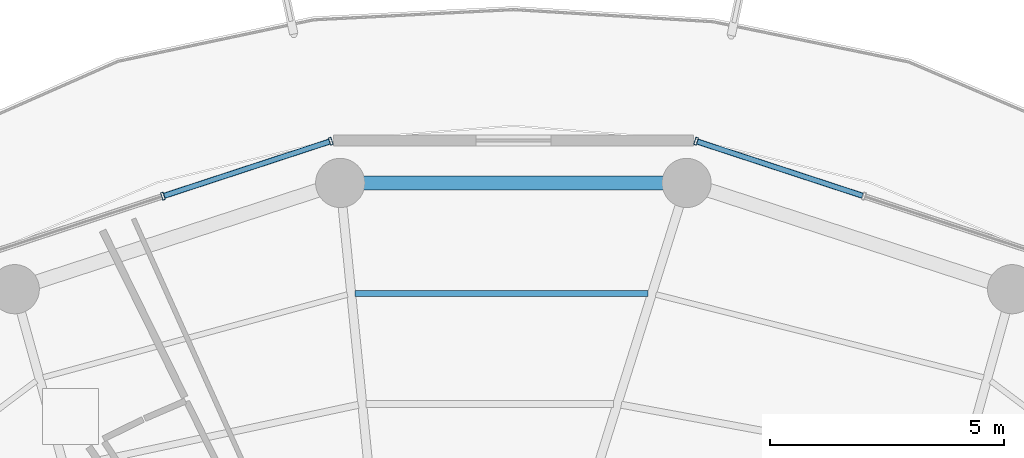
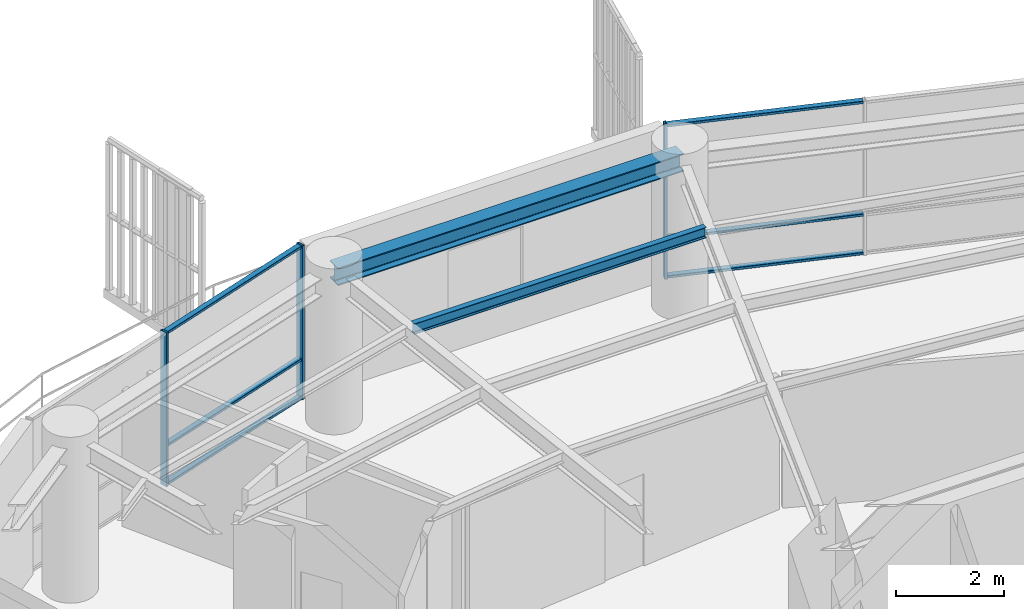
# One storey, part 20 of 31: 9 members, 2 beams, 2 elements without a shape of their own.
"""IFC4 building model written with IfcOpenShell, lengths in metres."""

from ifc_helpers import new_model, si_unit, direction, frame, origin, origin_2d, place, context, subcontext, project, spatial, hollow_rectangle, i_section, extrude, material, layer, layer_set, material_profile, profile_set, type_object, element, aggregate, save


model = new_model("IFC4")

# Units and contexts
model_context = context("Model", 3, precision=1e-05, world=origin(), true_north=direction((0.0, 1.0)))
body_context = subcontext(model_context, "Body", "Model", "MODEL_VIEW")
ifc_project = project(units=[si_unit("LENGTHUNIT", "METRE"), si_unit("AREAUNIT", "SQUARE_METRE"), si_unit("VOLUMEUNIT", "CUBIC_METRE"), si_unit("PLANEANGLEUNIT", "RADIAN"), si_unit("MASSUNIT", "GRAM", prefix="KILO")], contexts=[model_context])

# Site, building, storey
site_placement = place(None, origin())
site = spatial("IfcSite", under=ifc_project, at=site_placement, CompositionType="ELEMENT")
building_placement = place(site_placement, origin())
building = spatial("IfcBuilding", under=site, at=building_placement, Name="Kelanora Arch Commons", CompositionType="ELEMENT")
storey_placement = place(building_placement, frame((0.0, 0.0, 226.949951171875)))
storey = spatial("IfcBuildingStorey", under=building, at=storey_placement, Name="L58", CompositionType="ELEMENT", Elevation=226.949951171875)

# Beams
ifc_material_1 = material(Name="Steel S355", Category="steel")
ifc_material_profile_1 = material_profile(ifc_material_1, i_section(OverallWidth=0.1201171875, OverallDepth=0.239990234375, WebThickness=0.006103515625, FlangeThickness=0.009765625, FilletRadius=0.014892578125, at=origin_2d()), Name="IPE240")
ifc_profile_set_1 = profile_set([ifc_material_profile_1], Name="Steel S355")
beam_type_1 = type_object("IfcBeamType", Name="BM-JST-02", PredefinedType="JOIST", material=ifc_profile_set_1)
beam_1_placement = place(storey_placement, frame((76.87109375, 74.43212890625, 3.3701171875), z_axis=(-1.0, 0.0, 0.0), x_axis=(0.0, -1.0, 0.0)))
element("IfcBeam", 1, at=beam_1_placement, inside=storey, type_object=beam_type_1, Name="Secondary Chord Joist BJC-08 L58", PredefinedType="JOIST", context=body_context, shape_type="SweptSolid", body=[
    extrude(i_section(OverallWidth=0.1201171875, OverallDepth=0.239990234375, WebThickness=0.006103515625, FlangeThickness=0.009765625, FilletRadius=0.014892578125, at=origin_2d()), origin(), (0.0, 0.0, 1.0), 6.246337890625),
])
ifc_material_profile_2 = material_profile(ifc_material_1, i_section(OverallWidth=0.300048828125, OverallDepth=0.39990234375, WebThickness=0.013427734375, FlangeThickness=0.02392578125, FilletRadius=0.027099609375, at=origin_2d()), Name="HEB400")
ifc_profile_set_2 = profile_set([ifc_material_profile_2], Name="Steel S355")
beam_type_2 = type_object("IfcBeamType", Name="BM-SPN-Z4", PredefinedType="SPANDREL", material=ifc_profile_set_2)
beam_2_placement = place(storey_placement, frame((77.6953125, 76.7900390625, 3.2900390625), z_axis=(-1.0, 0.0, 0.0), x_axis=(0.0, -1.0, 0.0)))
element("IfcBeam", 2, at=beam_2_placement, inside=storey, type_object=beam_type_2, Name="Perimeter Spandrel Beam BS-08 L58", PredefinedType="SPANDREL", context=body_context, shape_type="SweptSolid", body=[
    extrude(i_section(OverallWidth=0.300048828125, OverallDepth=0.39990234375, WebThickness=0.013427734375, FlangeThickness=0.02392578125, FilletRadius=0.027099609375, at=origin_2d()), origin(), (0.0, 0.0, 1.0), 7.390625),
])

# Curtain wall, member
ifc_material_2 = material(Name="Terracotta ceramic-fritted low-E glass and aluminium", Category="masonry")
ifc_layer = layer(ifc_material_2, 0.175048828125)
ifc_layer_set = layer_set([ifc_layer], Name="Terracotta ceramic-fritted low-E glass and aluminium")
curtain_wall_type = type_object("IfcCurtainWallType", Name="CW-SYS-02", PredefinedType="NOTDEFINED", material=ifc_layer_set)
curtain_wall_1_placement = place(storey_placement, origin())
curtain_wall_1 = element("IfcCurtainWall", 3, at=curtain_wall_1_placement, inside=storey, type_object=curtain_wall_type, Name="Unitised Curtain Wall L58-B03", PredefinedType="NOTDEFINED")
ifc_material_3 = material(Name="Powder-coated aluminium terracotta", Category="masonry")
ifc_material_profile_3 = material_profile(ifc_material_3, hollow_rectangle(XDim=0.159912109375, YDim=0.06005859375, WallThickness=0.0048828125, InnerFilletRadius=0.0048828125, OuterFilletRadius=0.010009765625, at=origin_2d()), Name="CWM160x60")
ifc_profile_set_3 = profile_set([ifc_material_profile_3], Name="Powder-coated aluminium terracotta")
member_type_1 = type_object("IfcMemberType", Name="CWM-STD", PredefinedType="MULLION", material=ifc_profile_set_3)
member_1_placement = place(storey_placement, frame((77.897705078125, 77.68212890625, 0.0), z_axis=(0.0, 0.0, 1.0), x_axis=(-0.311582439059, -0.950219124029, 0.0)))
member_1 = element("IfcMember", 4, at=member_1_placement, type_object=member_type_1, Name="CW-02 mullion 3", PredefinedType="MULLION", context=body_context, shape_type="SweptSolid", body=[
    extrude(hollow_rectangle(XDim=0.159912109375, YDim=0.06005859375, WallThickness=0.0048828125, InnerFilletRadius=0.0048828125, OuterFilletRadius=0.010009765625, at=origin_2d()), origin(), (0.0, 0.0, 1.0), 3.47509765625),
])

# Curtain wall, members
curtain_wall_2_placement = place(storey_placement, origin())
curtain_wall_2 = element("IfcCurtainWall", 5, at=curtain_wall_2_placement, inside=storey, type_object=curtain_wall_type, Name="Unitised Curtain Wall L58-B05", PredefinedType="NOTDEFINED")
member_2_placement = place(storey_placement, frame((70.102294921875, 77.68212890625, 0.0), z_axis=(0.0, 0.0, 1.0), x_axis=(0.311582439059, -0.950219124029, 0.0)))
member_2 = element("IfcMember", 6, at=member_2_placement, type_object=member_type_1, Name="CW-02 mullion 1", PredefinedType="MULLION", context=body_context, shape_type="SweptSolid", body=[
    extrude(hollow_rectangle(XDim=0.159912109375, YDim=0.06005859375, WallThickness=0.0048828125, InnerFilletRadius=0.0048828125, OuterFilletRadius=0.010009765625, at=origin_2d()), origin(), (0.0, 0.0, 1.0), 3.47509765625),
])
member_3_placement = place(storey_placement, frame((66.5224609375, 76.50830078125, 0.0), z_axis=(0.0, 0.0, 1.0), x_axis=(0.311582439059, -0.950219124029, 0.0)))
member_3 = element("IfcMember", 7, at=member_3_placement, type_object=member_type_1, Name="CW-02 mullion 2", PredefinedType="MULLION", context=body_context, shape_type="SweptSolid", body=[
    extrude(hollow_rectangle(XDim=0.159912109375, YDim=0.06005859375, WallThickness=0.0048828125, InnerFilletRadius=0.0048828125, OuterFilletRadius=0.010009765625, at=origin_2d()), origin(), (0.0, 0.0, 1.0), 3.47509765625),
])

# Member
ifc_material_profile_4 = material_profile(ifc_material_3, hollow_rectangle(XDim=0.1201171875, YDim=0.06005859375, WallThickness=0.0048828125, InnerFilletRadius=0.0048828125, OuterFilletRadius=0.010009765625, at=origin_2d()), Name="CWT120x60")
ifc_profile_set_4 = profile_set([ifc_material_profile_4], Name="Powder-coated aluminium terracotta")
member_type_2 = type_object("IfcMemberType", Name="CWT-STD", PredefinedType="USERDEFINED", material=ifc_profile_set_4)
member_4_placement = place(storey_placement, frame((81.448974609375, 76.517578125, 0.030029296875), z_axis=(-0.950206527055, 0.311620852867, 0.0), x_axis=(-0.311620852867, -0.950206527055, 0.0)))
member_4 = element("IfcMember", 8, at=member_4_placement, type_object=member_type_2, Name="CW-02 transom 2.1", ObjectType="TRANSOM", PredefinedType="USERDEFINED", context=body_context, shape_type="SweptSolid", body=[
    extrude(hollow_rectangle(XDim=0.1201171875, YDim=0.06005859375, WallThickness=0.0048828125, InnerFilletRadius=0.0048828125, OuterFilletRadius=0.010009765625, at=origin_2d()), origin(), (0.0, 0.0, 1.0), 3.707275390625),
])

member_5_placement = place(storey_placement, frame((81.448974609375, 76.517578125, 0.900146484375), z_axis=(-0.950206527055, 0.311620852867, 0.0), x_axis=(-0.311620852867, -0.950206527055, 0.0)))
member_5 = element("IfcMember", 9, at=member_5_placement, type_object=member_type_2, Name="CW-02 transom 2.2", ObjectType="TRANSOM", PredefinedType="USERDEFINED", context=body_context, shape_type="SweptSolid", body=[
    extrude(hollow_rectangle(XDim=0.1201171875, YDim=0.06005859375, WallThickness=0.0048828125, InnerFilletRadius=0.0048828125, OuterFilletRadius=0.010009765625, at=origin_2d()), origin(), (0.0, 0.0, 1.0), 3.707275390625),
])

member_6_placement = place(storey_placement, frame((81.448974609375, 76.517578125, 3.445068359375), z_axis=(-0.950206527055, 0.311620852867, 0.0), x_axis=(-0.311620852867, -0.950206527055, 0.0)))
member_6 = element("IfcMember", 10, at=member_6_placement, type_object=member_type_2, Name="CW-02 transom 2.3", ObjectType="TRANSOM", PredefinedType="USERDEFINED", context=body_context, shape_type="SweptSolid", body=[
    extrude(hollow_rectangle(XDim=0.1201171875, YDim=0.06005859375, WallThickness=0.0048828125, InnerFilletRadius=0.0048828125, OuterFilletRadius=0.010009765625, at=origin_2d()), origin(), (0.0, 0.0, 1.0), 3.707275390625),
])

aggregate(curtain_wall_1, [member_1, member_4, member_5, member_6])

member_7_placement = place(storey_placement, frame((70.07373046875, 77.6728515625, 0.030029296875), z_axis=(-0.950206527055, -0.311620852867, 0.0), x_axis=(0.311620852867, -0.950206527055, 0.0)))
member_7 = element("IfcMember", 11, at=member_7_placement, type_object=member_type_2, Name="CW-02 transom 1.1", ObjectType="TRANSOM", PredefinedType="USERDEFINED", context=body_context, shape_type="SweptSolid", body=[
    extrude(hollow_rectangle(XDim=0.1201171875, YDim=0.06005859375, WallThickness=0.0048828125, InnerFilletRadius=0.0048828125, OuterFilletRadius=0.010009765625, at=origin_2d()), origin(), (0.0, 0.0, 1.0), 3.707275390625),
])

member_8_placement = place(storey_placement, frame((70.07373046875, 77.6728515625, 0.900146484375), z_axis=(-0.950206527055, -0.311620852867, 0.0), x_axis=(0.311620852867, -0.950206527055, 0.0)))
member_8 = element("IfcMember", 12, at=member_8_placement, type_object=member_type_2, Name="CW-02 transom 1.2", ObjectType="TRANSOM", PredefinedType="USERDEFINED", context=body_context, shape_type="SweptSolid", body=[
    extrude(hollow_rectangle(XDim=0.1201171875, YDim=0.06005859375, WallThickness=0.0048828125, InnerFilletRadius=0.0048828125, OuterFilletRadius=0.010009765625, at=origin_2d()), origin(), (0.0, 0.0, 1.0), 3.707275390625),
])

member_9_placement = place(storey_placement, frame((70.07373046875, 77.6728515625, 3.445068359375), z_axis=(-0.950206527055, -0.311620852867, 0.0), x_axis=(0.311620852867, -0.950206527055, 0.0)))
member_9 = element("IfcMember", 13, at=member_9_placement, type_object=member_type_2, Name="CW-02 transom 1.3", ObjectType="TRANSOM", PredefinedType="USERDEFINED", context=body_context, shape_type="SweptSolid", body=[
    extrude(hollow_rectangle(XDim=0.1201171875, YDim=0.06005859375, WallThickness=0.0048828125, InnerFilletRadius=0.0048828125, OuterFilletRadius=0.010009765625, at=origin_2d()), origin(), (0.0, 0.0, 1.0), 3.707275390625),
])

aggregate(curtain_wall_2, [member_2, member_3, member_7, member_8, member_9])

save(model, "model.ifc")
